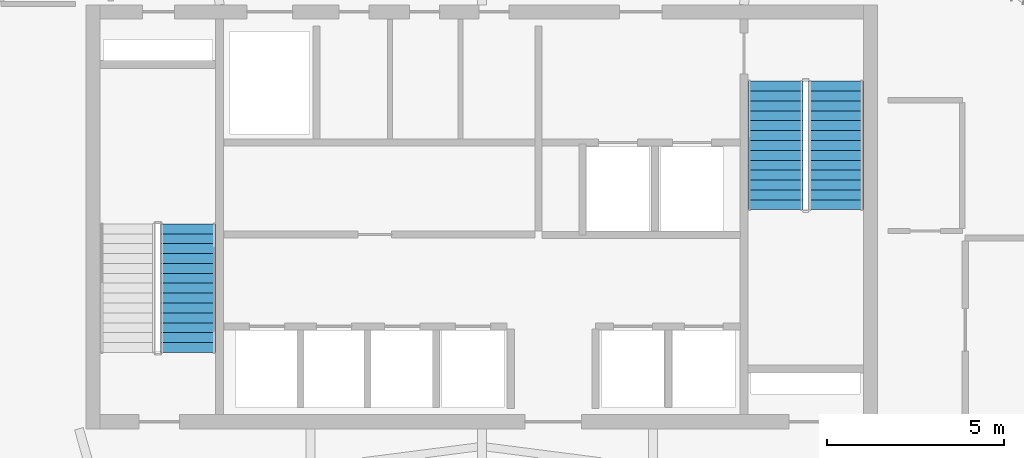
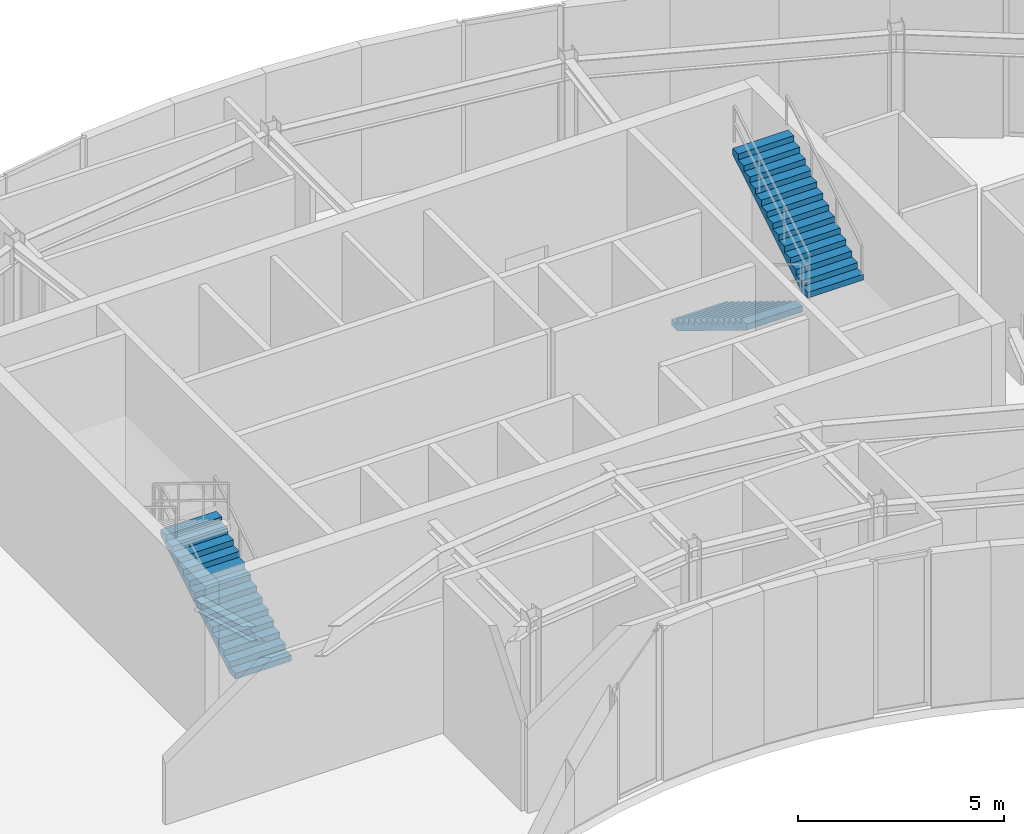
# One storey, part 9 of 10: 3 stair flights, 2 elements without a shape of their own.
"""IFC4 building model written with IfcOpenShell, lengths in metres."""

from ifc_helpers import new_model, si_unit, direction, frame, origin, place, context, subcontext, project, spatial, polyline, outline, extrude, material, type_object, element, aggregate, save


model = new_model("IFC4")

# Units and contexts
model_context = context("Model", 3, precision=1e-05, world=origin(), true_north=direction((0.0, 1.0)))
body_context = subcontext(model_context, "Body", "Model", "MODEL_VIEW")
ifc_project = project(units=[si_unit("LENGTHUNIT", "METRE"), si_unit("AREAUNIT", "SQUARE_METRE"), si_unit("VOLUMEUNIT", "CUBIC_METRE"), si_unit("PLANEANGLEUNIT", "RADIAN"), si_unit("MASSUNIT", "GRAM", prefix="KILO")], contexts=[model_context])

# Site, building, storey
site_placement = place(None, origin())
site = spatial("IfcSite", under=ifc_project, at=site_placement, CompositionType="ELEMENT")
building_placement = place(site_placement, origin())
building = spatial("IfcBuilding", under=site, at=building_placement, Name="Breltana Convention Tower", CompositionType="ELEMENT")
storey_placement = place(building_placement, frame((0.0, 0.0, 303.0)))
storey = spatial("IfcBuildingStorey", under=building, at=storey_placement, Name="L74", CompositionType="ELEMENT", Elevation=303.0)

# Stair, stair flight
ifc_material = material(Name="Concrete C40/50", Category="concrete")
stair_type = type_object("IfcStairType", Name="ST-DOG-1560-R171", PredefinedType="HALF_TURN_STAIR", material=ifc_material)
stair_1_placement = place(storey_placement, origin())
stair_1 = element("IfcStair", 1, at=stair_1_placement, inside=storey, type_object=stair_type, Name="L74 Protected Core Exit Stair ST-1", PredefinedType="HALF_TURN_STAIR")
stair_flight_type = type_object("IfcStairFlightType", Name="STF-DOG-1560-N14-R171", PredefinedType="STRAIGHT", material=ifc_material)
stair_flight_1_placement = place(storey_placement, frame((39.68994140625, 62.360107421875, 0.0), z_axis=(0.0, 0.0, 1.0), x_axis=(0.0, 1.0, 0.0)))
stair_flight_1 = element("IfcStairFlight", 2, at=stair_flight_1_placement, type_object=stair_flight_type, Name="ST-1 flight 1", NumberOfRisers=14, NumberOfTreads=13, PredefinedType="STRAIGHT", RiserHeight=0.171428571, TreadLength=0.28, context=body_context, shape_type="SweptSolid", body=[
    extrude(outline(polyline([(0.0, 0.0), (0.0, 0.17138671875), (0.280029296875, 0.17138671875), (0.280029296875, 0.3427734375), (0.56005859375, 0.3427734375), (0.56005859375, 0.514404296875), (0.840087890625, 0.514404296875), (0.840087890625, 0.685791015625), (1.1201171875, 0.685791015625), (1.1201171875, 0.857177734375), (1.39990234375, 0.857177734375), (1.39990234375, 1.028564453125), (1.679931640625, 1.028564453125), (1.679931640625, 1.199951171875), (1.9599609375, 1.199951171875), (1.9599609375, 1.371337890625), (2.239990234375, 1.371337890625), (2.239990234375, 1.54296875), (2.52001953125, 1.54296875), (2.52001953125, 1.71435546875), (2.800048828125, 1.71435546875), (2.800048828125, 1.8857421875), (3.080078125, 1.8857421875), (3.080078125, 2.05712890625), (3.360107421875, 2.05712890625), (3.360107421875, 2.228515625), (3.639892578125, 2.228515625), (3.639892578125, 2.39990234375), (3.639892578125, 2.052734375), (0.287109375, 0.0), (0.0, 0.0)])), frame((0.0, 0.780029296875, 0.0), z_axis=(0.0, -1.0, 0.0), x_axis=(1.0, 0.0, 0.0)), (0.0, 0.0, 1.0), 1.56005859375),
])
aggregate(stair_1, [stair_flight_1])

# Stair, stair flights
stair_2_placement = place(storey_placement, origin())
stair_2 = element("IfcStair", 3, at=stair_2_placement, inside=storey, type_object=stair_type, Name="L74 Protected Core Exit Stair ST-2", PredefinedType="HALF_TURN_STAIR")
stair_flight_2_placement = place(storey_placement, frame((56.31005859375, 70.0400390625, 0.0), z_axis=(0.0, 0.0, 1.0), x_axis=(0.0, -1.0, 0.0)))
stair_flight_2 = element("IfcStairFlight", 4, at=stair_flight_2_placement, type_object=stair_flight_type, Name="ST-2 flight 1", NumberOfRisers=14, NumberOfTreads=13, PredefinedType="STRAIGHT", RiserHeight=0.171428571, TreadLength=0.28, context=body_context, shape_type="SweptSolid", body=[
    extrude(outline(polyline([(0.0, 0.0), (0.0, 0.17138671875), (0.280029296875, 0.17138671875), (0.280029296875, 0.3427734375), (0.56005859375, 0.3427734375), (0.56005859375, 0.514404296875), (0.840087890625, 0.514404296875), (0.840087890625, 0.685791015625), (1.1201171875, 0.685791015625), (1.1201171875, 0.857177734375), (1.39990234375, 0.857177734375), (1.39990234375, 1.028564453125), (1.679931640625, 1.028564453125), (1.679931640625, 1.199951171875), (1.9599609375, 1.199951171875), (1.9599609375, 1.371337890625), (2.239990234375, 1.371337890625), (2.239990234375, 1.54296875), (2.52001953125, 1.54296875), (2.52001953125, 1.71435546875), (2.800048828125, 1.71435546875), (2.800048828125, 1.8857421875), (3.080078125, 1.8857421875), (3.080078125, 2.05712890625), (3.360107421875, 2.05712890625), (3.360107421875, 2.228515625), (3.639892578125, 2.228515625), (3.639892578125, 2.39990234375), (3.639892578125, 2.052734375), (0.287109375, 0.0), (0.0, 0.0)])), frame((0.0, 0.780029296875, 0.0), z_axis=(0.0, -1.0, 0.0), x_axis=(1.0, 0.0, 0.0)), (0.0, 0.0, 1.0), 1.56005859375),
])
stair_flight_3_placement = place(storey_placement, frame((58.02001953125, 66.39990234375, 2.39990234375), z_axis=(0.0, 0.0, 1.0), x_axis=(0.0, 1.0, 0.0)))
stair_flight_3 = element("IfcStairFlight", 5, at=stair_flight_3_placement, type_object=stair_flight_type, Name="ST-2 flight 2", NumberOfRisers=14, NumberOfTreads=13, PredefinedType="STRAIGHT", RiserHeight=0.171428571, TreadLength=0.28, context=body_context, shape_type="SweptSolid", body=[
    extrude(outline(polyline([(0.0, 0.0), (0.0, 0.17138671875), (0.280029296875, 0.17138671875), (0.280029296875, 0.3427734375), (0.56005859375, 0.3427734375), (0.56005859375, 0.514404296875), (0.840087890625, 0.514404296875), (0.840087890625, 0.685791015625), (1.1201171875, 0.685791015625), (1.1201171875, 0.857177734375), (1.39990234375, 0.857177734375), (1.39990234375, 1.028564453125), (1.679931640625, 1.028564453125), (1.679931640625, 1.199951171875), (1.9599609375, 1.199951171875), (1.9599609375, 1.371337890625), (2.239990234375, 1.371337890625), (2.239990234375, 1.54296875), (2.52001953125, 1.54296875), (2.52001953125, 1.71435546875), (2.800048828125, 1.71435546875), (2.800048828125, 1.8857421875), (3.080078125, 1.8857421875), (3.080078125, 2.05712890625), (3.360107421875, 2.05712890625), (3.360107421875, 2.228515625), (3.639892578125, 2.228515625), (3.639892578125, 2.39990234375), (3.639892578125, 2.052734375), (0.287109375, 0.0), (0.0, 0.0)])), frame((0.0, 0.780029296875, 0.0), z_axis=(0.0, -1.0, 0.0), x_axis=(1.0, 0.0, 0.0)), (0.0, 0.0, 1.0), 1.56005859375),
])
aggregate(stair_2, [stair_flight_2, stair_flight_3])

save(model, "model.ifc")
